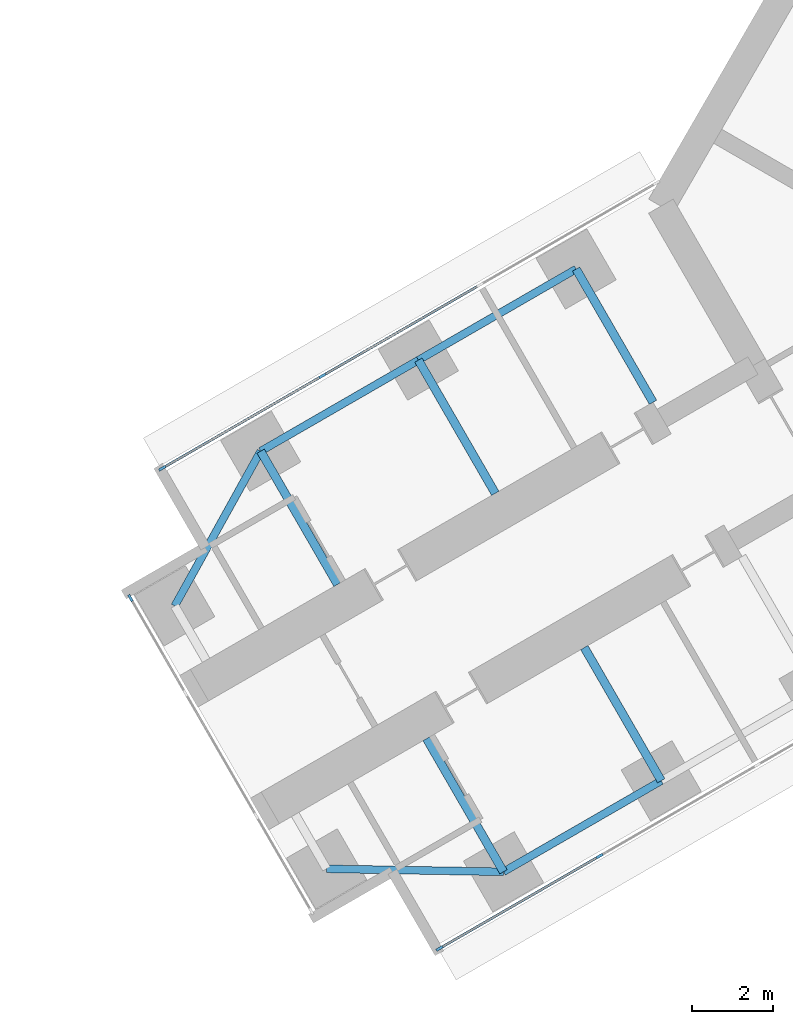
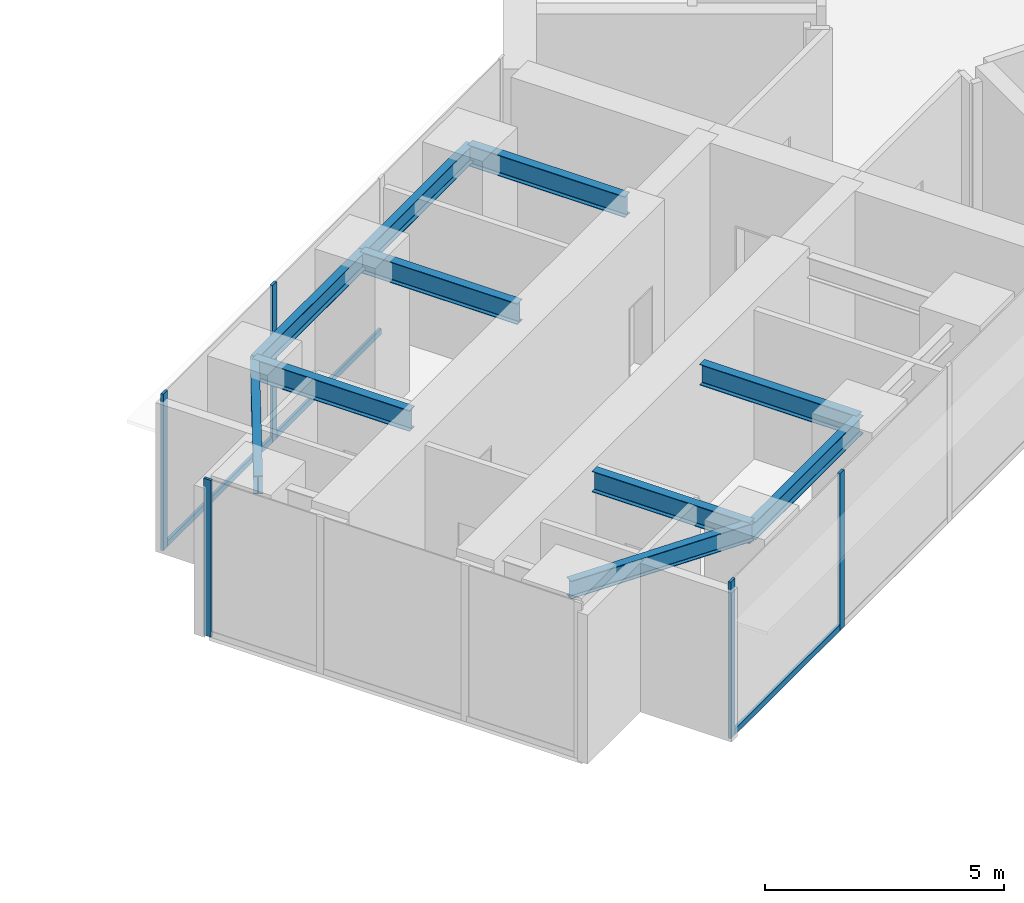
# One storey, part 4 of 24: 10 beams, 8 members, 3 elements without a shape of their own.
"""IFC4 building model written with IfcOpenShell, lengths in metres."""

from ifc_helpers import new_model, si_unit, direction, frame, origin, origin_2d, place, context, subcontext, project, spatial, rectangle, i_section, extrude, material, material_profile, profile_set, type_object, element, aggregate, save


model = new_model("IFC4")

# Units and contexts
model_context = context("Model", 3, precision=1e-05, world=origin(), true_north=direction((0.0, 1.0)))
body_context = subcontext(model_context, "Body", "Model", "MODEL_VIEW")
ifc_project = project(units=[si_unit("LENGTHUNIT", "METRE"), si_unit("AREAUNIT", "SQUARE_METRE"), si_unit("VOLUMEUNIT", "CUBIC_METRE"), si_unit("PLANEANGLEUNIT", "RADIAN"), si_unit("MASSUNIT", "GRAM", prefix="KILO")], contexts=[model_context])

# Site, building, storey
site_placement = place(None, origin())
site = spatial("IfcSite", under=ifc_project, at=site_placement, CompositionType="ELEMENT")
building_placement = place(site_placement, origin())
building = spatial("IfcBuilding", under=site, at=building_placement, Name="Upepo Twin Towers", CompositionType="ELEMENT")
storey_placement = place(building_placement, frame((0.0, 0.0, 56.5)))
storey = spatial("IfcBuildingStorey", under=building, at=storey_placement, Name="L13", CompositionType="ELEMENT", Elevation=56.5)

# Beams
ifc_material_1 = material(Name="Steel S355", Category="steel")
ifc_material_profile_1 = material_profile(ifc_material_1, i_section(OverallWidth=0.1904296875, OverallDepth=0.45703125, WebThickness=0.009033203125, FlangeThickness=0.014404296875, FilletRadius=0.01025390625, at=origin_2d()), Name="UB 457x191x74")
ifc_profile_set_1 = profile_set([ifc_material_profile_1], Name="Steel S355")
beam_type_1 = type_object("IfcBeamType", Name="Beam UB 457x191x74", PredefinedType="BEAM", material=ifc_profile_set_1)
beam_1_placement = place(storey_placement, frame((45.91162109375, -32.196044921875, 3.571533203125), z_axis=(-0.866031096941, -0.499990139034, 0.0), x_axis=(0.499990139034, -0.866031096941, 0.0)))
element("IfcBeam", 1, at=beam_1_placement, inside=storey, type_object=beam_type_1, Name="T2 edge beam BL 18.0-22.5", PredefinedType="BEAM", context=body_context, shape_type="SweptSolid", body=[
    extrude(i_section(OverallWidth=0.1904296875, OverallDepth=0.45703125, WebThickness=0.009033203125, FlangeThickness=0.014404296875, FilletRadius=0.01025390625, at=origin_2d()), origin(), (0.0, 0.0, 1.0), 4.5),
])
beam_2_placement = place(storey_placement, frame((42.014404296875, -34.446044921875, 3.571533203125), z_axis=(-0.999858804832, 0.016803880528, 0.0), x_axis=(-0.016803880528, -0.999858804832, 0.0)))
element("IfcBeam", 2, at=beam_2_placement, inside=storey, type_object=beam_type_1, Name="T2 nose edge beam BL", PredefinedType="BEAM", context=body_context, shape_type="SweptSolid", body=[
    extrude(i_section(OverallWidth=0.1904296875, OverallDepth=0.45703125, WebThickness=0.009033203125, FlangeThickness=0.014404296875, FilletRadius=0.01025390625, at=origin_2d()), origin(), (0.0, 0.0, 1.0), 4.373291015625),
])
beam_3_placement = place(storey_placement, frame((43.80859375, -19.553955078125, 3.571533203125), z_axis=(-0.866017533419, -0.500013631625, 0.0), x_axis=(0.500013631625, -0.866017533419, 0.0)))
element("IfcBeam", 3, at=beam_3_placement, inside=storey, type_object=beam_type_1, Name="T2 edge beam BR 13.5-18.0", PredefinedType="BEAM", context=body_context, shape_type="SweptSolid", body=[
    extrude(i_section(OverallWidth=0.1904296875, OverallDepth=0.45703125, WebThickness=0.009033203125, FlangeThickness=0.014404296875, FilletRadius=0.01025390625, at=origin_2d()), origin(), (0.0, 0.0, 1.0), 4.499755859375),
])
beam_4_placement = place(storey_placement, frame((39.91162109375, -21.803955078125, 3.571533203125), z_axis=(-0.866031096941, -0.499990139034, 0.0), x_axis=(0.499990139034, -0.866031096941, 0.0)))
element("IfcBeam", 4, at=beam_4_placement, inside=storey, type_object=beam_type_1, Name="T2 edge beam BR 18.0-22.5", PredefinedType="BEAM", context=body_context, shape_type="SweptSolid", body=[
    extrude(i_section(OverallWidth=0.1904296875, OverallDepth=0.45703125, WebThickness=0.009033203125, FlangeThickness=0.014404296875, FilletRadius=0.01025390625, at=origin_2d()), origin(), (0.0, 0.0, 1.0), 4.5),
])
beam_5_placement = place(storey_placement, frame((36.014404296875, -24.053955078125, 3.571533203125), z_axis=(-0.485363242752, -0.874312600038, 0.0), x_axis=(0.874312600038, -0.485363242752, 0.0)))
element("IfcBeam", 5, at=beam_5_placement, inside=storey, type_object=beam_type_1, Name="T2 nose edge beam BR", PredefinedType="BEAM", context=body_context, shape_type="SweptSolid", body=[
    extrude(i_section(OverallWidth=0.1904296875, OverallDepth=0.45703125, WebThickness=0.009033203125, FlangeThickness=0.014404296875, FilletRadius=0.01025390625, at=origin_2d()), origin(), (0.0, 0.0, 1.0), 4.373046875),
])
ifc_material_2 = material(Name="Steel S355", Category="steel")
ifc_material_profile_2 = material_profile(ifc_material_2, i_section(OverallWidth=0.209228515625, OverallDepth=0.533203125, WebThickness=0.010009765625, FlangeThickness=0.015625, FilletRadius=0.0126953125, at=origin_2d()), Name="UB 533x210x92")
ifc_profile_set_2 = profile_set([ifc_material_profile_2], Name="Steel S355")
beam_type_2 = type_object("IfcBeamType", Name="Beam UB 533x210x92", PredefinedType="BEAM", material=ifc_profile_set_2)
beam_6_placement = place(storey_placement, frame((45.91162109375, -32.196044921875, 3.533447265625), z_axis=(-0.500043160704, 0.866000483506, 0.0), x_axis=(-0.866000483506, -0.500043160704, 0.0)))
element("IfcBeam", 6, at=beam_6_placement, inside=storey, type_object=beam_type_2, Name="T2 girder BL at 18.0", PredefinedType="BEAM", context=body_context, shape_type="SweptSolid", body=[
    extrude(i_section(OverallWidth=0.209228515625, OverallDepth=0.533203125, WebThickness=0.010009765625, FlangeThickness=0.015625, FilletRadius=0.0126953125, at=origin_2d()), origin(), (0.0, 0.0, 1.0), 3.800048828125),
])
beam_7_placement = place(storey_placement, frame((42.014404296875, -34.446044921875, 3.533447265625), z_axis=(-0.499994975061, 0.866028304915, 0.0), x_axis=(-0.866028304915, -0.499994975061, 0.0)))
element("IfcBeam", 7, at=beam_7_placement, inside=storey, type_object=beam_type_2, Name="T2 girder BL at 22.5", PredefinedType="BEAM", context=body_context, shape_type="SweptSolid", body=[
    extrude(i_section(OverallWidth=0.209228515625, OverallDepth=0.533203125, WebThickness=0.010009765625, FlangeThickness=0.015625, FilletRadius=0.0126953125, at=origin_2d()), origin(), (0.0, 0.0, 1.0), 3.7998046875),
])
beam_8_placement = place(storey_placement, frame((43.80859375, -19.553955078125, 3.533447265625), z_axis=(0.500043160704, -0.866000483506, 0.0), x_axis=(0.866000483506, 0.500043160704, 0.0)))
element("IfcBeam", 8, at=beam_8_placement, inside=storey, type_object=beam_type_2, Name="T2 girder BR at 13.5", PredefinedType="BEAM", context=body_context, shape_type="SweptSolid", body=[
    extrude(i_section(OverallWidth=0.209228515625, OverallDepth=0.533203125, WebThickness=0.010009765625, FlangeThickness=0.015625, FilletRadius=0.0126953125, at=origin_2d()), origin(), (0.0, 0.0, 1.0), 3.800048828125),
])
for number, where, z_axis, x_axis, name in (
    (9, (39.91162109375, -21.803955078125, 3.533447265625), (0.499994975061, -0.866028304915, 0.0), (0.866028304915, 0.499994975061, 0.0), "T2 girder BR at 18.0"),
    (10, (36.014404296875, -24.053955078125, 3.533447265625), (0.499994975061, -0.866028304915, 0.0), (0.866028304915, 0.499994975061, 0.0), "T2 girder BR at 22.5"),
):
    element("IfcBeam", number, at=place(storey_placement, frame(where, z_axis=z_axis, x_axis=x_axis)), inside=storey, type_object=beam_type_2, Name=name, PredefinedType="BEAM", context=body_context, shape_type="SweptSolid", body=[
        extrude(i_section(OverallWidth=0.209228515625, OverallDepth=0.533203125, WebThickness=0.010009765625, FlangeThickness=0.015625, FilletRadius=0.0126953125, at=origin_2d()), origin(), (0.0, 0.0, 1.0), 3.7998046875),
    ])

# Curtain wall, members
ifc_material_3 = material(Name="Aluminium and fritted glass", Category="aluminium")
curtain_wall_type = type_object("IfcCurtainWallType", Name="Tower curtain wall TW1, fritted glass", PredefinedType="NOTDEFINED", material=ifc_material_3)
curtain_wall_1_placement = place(storey_placement, origin())
curtain_wall_1 = element("IfcCurtainWall", 11, at=curtain_wall_1_placement, inside=storey, type_object=curtain_wall_type, Name="T2 L13 wing B flank L curtain wall", PredefinedType="NOTDEFINED")
ifc_material_4 = material(Name="Aluminium mullion", Category="aluminium")
ifc_material_profile_3 = material_profile(ifc_material_4, rectangle(XDim=0.06494140625, YDim=0.179931640625, at=origin_2d()), Name="MULLION 65x180")
ifc_profile_set_3 = profile_set([ifc_material_profile_3], Name="Aluminium mullion")
member_type_1 = type_object("IfcMemberType", Name="Mullion 65x180 TW1", PredefinedType="MULLION", material=ifc_profile_set_3)
member_1_placement = place(storey_placement, frame((44.387939453125, -34.057373046875, 0.0), z_axis=(0.0, 0.0, 1.0), x_axis=(0.500000024426, -0.866025389682, 0.0)))
member_1 = element("IfcMember", 12, at=member_1_placement, type_object=member_type_1, Name="T2 L13 wing B flank L curtain wall mullion 3", PredefinedType="MULLION", context=body_context, shape_type="SweptSolid", body=[
    extrude(rectangle(XDim=0.06494140625, YDim=0.179931640625, at=origin_2d()), origin(), (0.0, 0.0, 1.0), 4.0),
])
member_2_placement = place(storey_placement, frame((40.432373046875, -36.341064453125, 0.0), z_axis=(0.0, 0.0, 1.0), x_axis=(0.500000024426, -0.866025389682, 0.0)))
member_2 = element("IfcMember", 13, at=member_2_placement, type_object=member_type_1, Name="T2 L13 wing B flank L curtain wall mullion 4", PredefinedType="MULLION", context=body_context, shape_type="SweptSolid", body=[
    extrude(rectangle(XDim=0.06494140625, YDim=0.179931640625, at=origin_2d()), origin(), (0.0, 0.0, 1.0), 4.0),
])

curtain_wall_2_placement = place(storey_placement, origin())
curtain_wall_2 = element("IfcCurtainWall", 14, at=curtain_wall_2_placement, inside=storey, type_object=curtain_wall_type, Name="T2 L13 wing B flank R curtain wall", PredefinedType="NOTDEFINED")
member_3_placement = place(storey_placement, frame((33.58251953125, -24.4765625, 0.0), z_axis=(0.0, 0.0, 1.0), x_axis=(-0.500000024426, 0.866025389682, 0.0)))
member_3 = element("IfcMember", 15, at=member_3_placement, type_object=member_type_1, Name="T2 L13 wing B flank R curtain wall mullion 1", PredefinedType="MULLION", context=body_context, shape_type="SweptSolid", body=[
    extrude(rectangle(XDim=0.06494140625, YDim=0.179931640625, at=origin_2d()), origin(), (0.0, 0.0, 1.0), 4.0),
])
member_4_placement = place(storey_placement, frame((37.5380859375, -22.192626953125, 0.0), z_axis=(0.0, 0.0, 1.0), x_axis=(-0.500000024426, 0.866025389682, 0.0)))
member_4 = element("IfcMember", 16, at=member_4_placement, type_object=member_type_1, Name="T2 L13 wing B flank R curtain wall mullion 2", PredefinedType="MULLION", context=body_context, shape_type="SweptSolid", body=[
    extrude(rectangle(XDim=0.06494140625, YDim=0.179931640625, at=origin_2d()), origin(), (0.0, 0.0, 1.0), 4.0),
])

# Curtain wall, member
curtain_wall_3_placement = place(storey_placement, origin())
curtain_wall_3 = element("IfcCurtainWall", 17, at=curtain_wall_3_placement, inside=storey, type_object=curtain_wall_type, Name="T2 L13 wing B nose curtain wall", PredefinedType="NOTDEFINED")
member_5_placement = place(storey_placement, frame((32.796875, -27.68115234375, 0.0), z_axis=(0.0, 0.0, 1.0), x_axis=(0.866025386174, 0.500000030502, 0.0)))
member_5 = element("IfcMember", 18, at=member_5_placement, type_object=member_type_1, Name="T2 L13 wing B nose curtain wall mullion 1", PredefinedType="MULLION", context=body_context, shape_type="SweptSolid", body=[
    extrude(rectangle(XDim=0.06494140625, YDim=0.179931640625, at=origin_2d()), origin(), (0.0, 0.0, 1.0), 4.0),
])
aggregate(curtain_wall_3, [member_5])

# Member
ifc_material_5 = material(Name="Aluminium transom", Category="aluminium")
ifc_material_profile_4 = material_profile(ifc_material_5, rectangle(XDim=0.06494140625, YDim=0.14990234375, at=origin_2d()), Name="TRANSOM 65x150")
ifc_profile_set_4 = profile_set([ifc_material_profile_4], Name="Aluminium transom")
member_type_2 = type_object("IfcMemberType", Name="Transom 65x150 TW1", PredefinedType="USERDEFINED", material=ifc_profile_set_4)
member_6_placement = place(storey_placement, frame((44.35986328125, -34.073486328125, 0.074951171875), z_axis=(-0.866035699072, -0.499982167615, 0.0), x_axis=(0.499982167615, -0.866035699072, 0.0)))
member_6 = element("IfcMember", 19, at=member_6_placement, type_object=member_type_2, Name="T2 L13 wing B flank L curtain wall transom 3", ObjectType="TRANSOM", PredefinedType="USERDEFINED", context=body_context, shape_type="SweptSolid", body=[
    extrude(rectangle(XDim=0.06494140625, YDim=0.14990234375, at=origin_2d()), origin(), (0.0, 0.0, 1.0), 4.502685546875),
])

aggregate(curtain_wall_1, [member_1, member_2, member_6])

member_7_placement = place(storey_placement, frame((33.610595703125, -24.460205078125, 0.074951171875), z_axis=(0.866022143554, 0.500005646842, 0.0), x_axis=(-0.500005646842, 0.866022143554, 0.0)))
member_7 = element("IfcMember", 20, at=member_7_placement, type_object=member_type_2, Name="T2 L13 wing B flank R curtain wall transom 1", ObjectType="TRANSOM", PredefinedType="USERDEFINED", context=body_context, shape_type="SweptSolid", body=[
    extrude(rectangle(XDim=0.06494140625, YDim=0.14990234375, at=origin_2d()), origin(), (0.0, 0.0, 1.0), 4.50244140625),
])

member_8_placement = place(storey_placement, frame((37.566162109375, -22.176513671875, 0.074951171875), z_axis=(0.866022410713, 0.500005184116, 0.0), x_axis=(-0.500005184116, 0.866022410713, 0.0)))
member_8 = element("IfcMember", 21, at=member_8_placement, type_object=member_type_2, Name="T2 L13 wing B flank R curtain wall transom 2", ObjectType="TRANSOM", PredefinedType="USERDEFINED", context=body_context, shape_type="SweptSolid", body=[
    extrude(rectangle(XDim=0.06494140625, YDim=0.14990234375, at=origin_2d()), origin(), (0.0, 0.0, 1.0), 4.43505859375),
])

aggregate(curtain_wall_2, [member_3, member_4, member_7, member_8])

save(model, "model.ifc")
